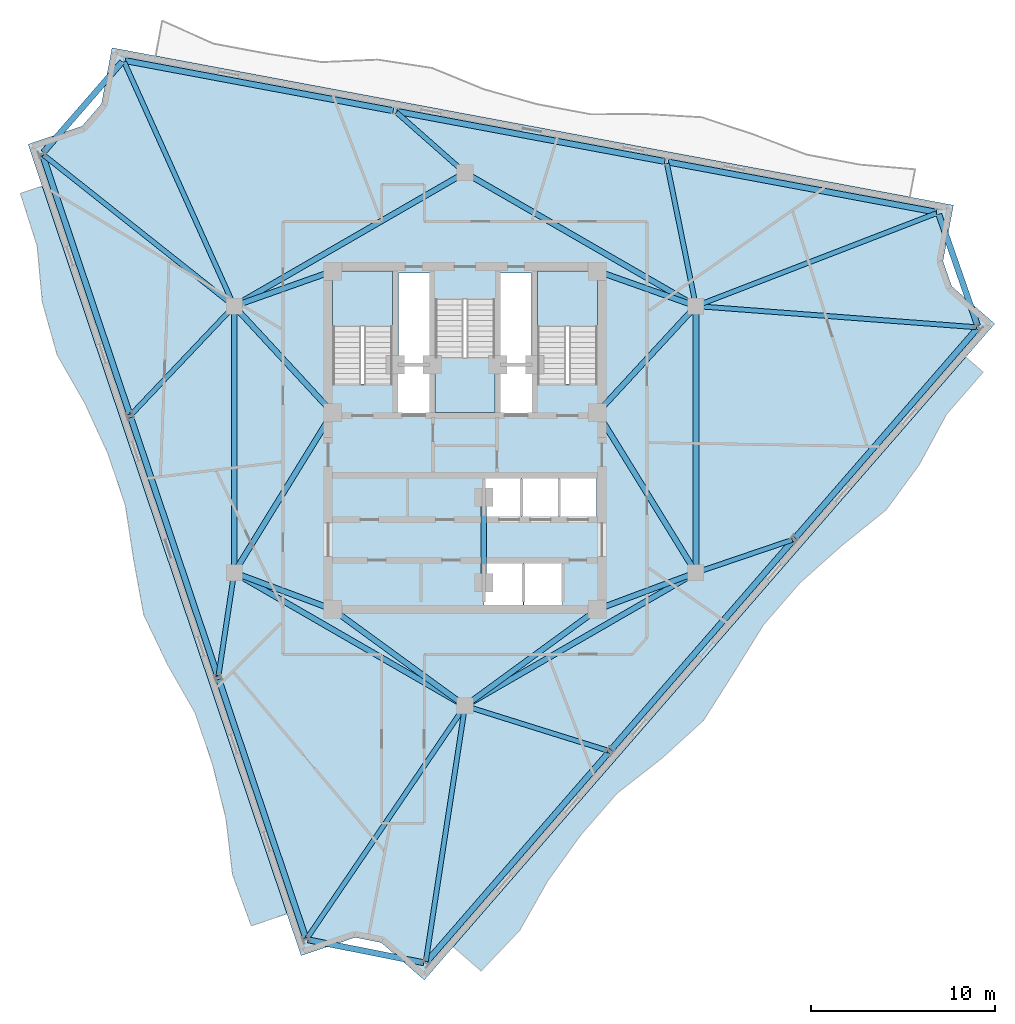
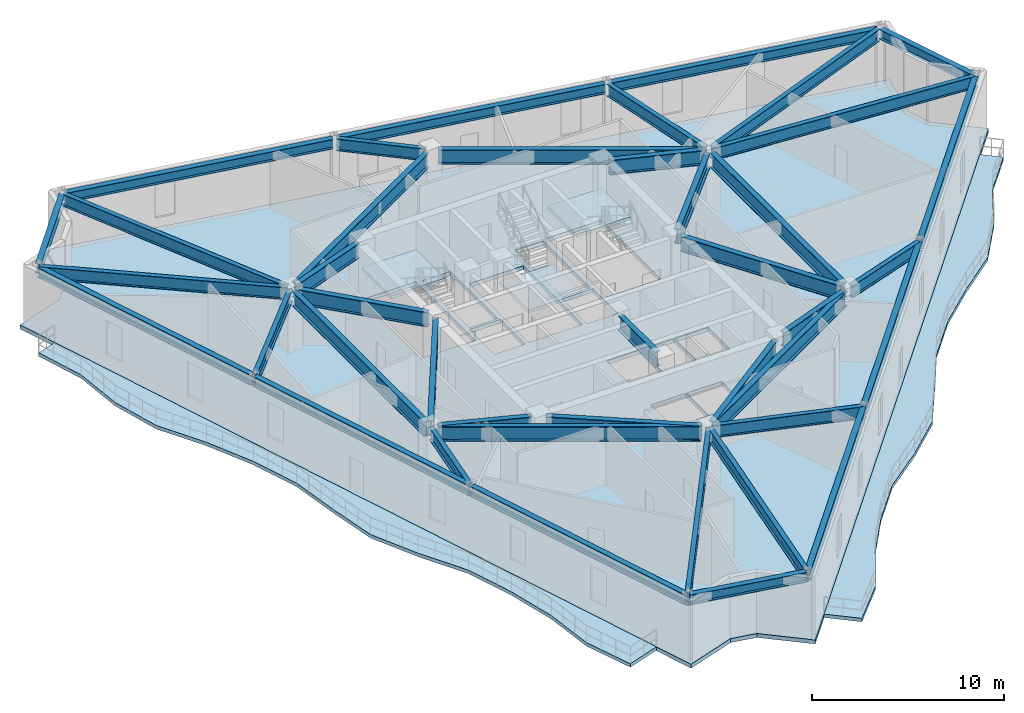
# One storey, part 3 of 10: 41 beams, 6 slabs, 3 elements without a shape of their own.
"""IFC4 building model written with IfcOpenShell, lengths in metres."""

from ifc_helpers import new_model, si_unit, direction, frame, origin, origin_2d, place, context, subcontext, project, spatial, polyline, i_section, outline, extrude, material, layer, layer_set, material_profile, profile_set, type_object, element, aggregate, save


model = new_model("IFC4")

# Units and contexts
model_context = context("Model", 3, precision=1e-05, world=origin(), true_north=direction((0.0, 1.0)))
body_context = subcontext(model_context, "Body", "Model", "MODEL_VIEW")
ifc_project = project(units=[si_unit("LENGTHUNIT", "METRE"), si_unit("AREAUNIT", "SQUARE_METRE"), si_unit("VOLUMEUNIT", "CUBIC_METRE"), si_unit("PLANEANGLEUNIT", "RADIAN"), si_unit("MASSUNIT", "GRAM", prefix="KILO")], contexts=[model_context])

# Site, building, storey
site_placement = place(None, origin())
site = spatial("IfcSite", under=ifc_project, at=site_placement, CompositionType="ELEMENT")
building_placement = place(site_placement, origin())
building = spatial("IfcBuilding", under=site, at=building_placement, Name="Apsidion Concourse Tower", CompositionType="ELEMENT")
storey_placement = place(building_placement, frame((0.0, 0.0, 265.5)))
storey = spatial("IfcBuildingStorey", under=building, at=storey_placement, Name="L62", CompositionType="ELEMENT", Elevation=265.5)

# Beams
ifc_material_1 = material(Name="Structural steel ASTM A992 Grade 50", Category="steel")
ifc_material_profile_1 = material_profile(ifc_material_1, i_section(OverallWidth=0.31005859375, OverallDepth=0.931884765625, WebThickness=0.02099609375, FlangeThickness=0.034423828125, at=origin_2d()), Name="W36X210")
ifc_profile_set_1 = profile_set([ifc_material_profile_1], Name="Structural steel ASTM A992 Grade 50")
beam_type_1 = type_object("IfcBeamType", Name="BM-G-W36", PredefinedType="USERDEFINED", material=ifc_profile_set_1)
beam_1_placement = place(storey_placement, frame((-12.185302734375, -7.389892578125, 3.384033203125), z_axis=(0.936913021145, -0.349562570664, 0.0), x_axis=(0.349562570664, 0.936913021145, 0.0)))
element("IfcBeam", 1, at=beam_1_placement, inside=storey, type_object=beam_type_1, Name="L62 Core Coupling Girder IC1-SC1", ObjectType="GIRDER", PredefinedType="USERDEFINED", context=body_context, shape_type="SweptSolid", body=[
    extrude(i_section(OverallWidth=0.31005859375, OverallDepth=0.931884765625, WebThickness=0.02099609375, FlangeThickness=0.034423828125, at=origin_2d()), origin(), (0.0, 0.0, 1.0), 4.921142578125),
])
beam_2_placement = place(storey_placement, frame((-12.35009765625, -6.909423828125, 3.384033203125), z_axis=(0.524524009763, 0.851395656074, 0.0), x_axis=(-0.851395656074, 0.524524009763, 0.0)))
element("IfcBeam", 2, at=beam_2_placement, inside=storey, type_object=beam_type_1, Name="L62 Core Coupling Girder IC1-SC6", ObjectType="GIRDER", PredefinedType="USERDEFINED", context=body_context, shape_type="SweptSolid", body=[
    extrude(i_section(OverallWidth=0.31005859375, OverallDepth=0.931884765625, WebThickness=0.02099609375, FlangeThickness=0.034423828125, at=origin_2d()), origin(), (0.0, 0.0, 1.0), 9.41845703125),
])
beam_3_placement = place(storey_placement, frame((12.185302734375, -7.389892578125, 3.384033203125), z_axis=(-0.936913021145, -0.349562570664, 0.0), x_axis=(0.349562570664, -0.936913021145, 0.0)))
element("IfcBeam", 3, at=beam_3_placement, inside=storey, type_object=beam_type_1, Name="L62 Core Coupling Girder IC2-SC2", ObjectType="GIRDER", PredefinedType="USERDEFINED", context=body_context, shape_type="SweptSolid", body=[
    extrude(i_section(OverallWidth=0.31005859375, OverallDepth=0.931884765625, WebThickness=0.02099609375, FlangeThickness=0.034423828125, at=origin_2d()), origin(), (0.0, 0.0, 1.0), 4.921142578125),
])
beam_4_placement = place(storey_placement, frame((12.35009765625, -6.909423828125, 3.384033203125), z_axis=(-0.524524009763, 0.851395656074, 0.0), x_axis=(-0.851395656074, -0.524524009763, 0.0)))
element("IfcBeam", 4, at=beam_4_placement, inside=storey, type_object=beam_type_1, Name="L62 Core Coupling Girder IC2-SC3", ObjectType="GIRDER", PredefinedType="USERDEFINED", context=body_context, shape_type="SweptSolid", body=[
    extrude(i_section(OverallWidth=0.31005859375, OverallDepth=0.931884765625, WebThickness=0.02099609375, FlangeThickness=0.034423828125, at=origin_2d()), origin(), (0.0, 0.0, 1.0), 9.41845703125),
])
beam_5_placement = place(storey_placement, frame((12.28857421875, 6.956298828125, 3.384033203125), z_axis=(-0.678712876106, -0.73440372535, 0.0), x_axis=(0.73440372535, -0.678712876106, 0.0)))
element("IfcBeam", 5, at=beam_5_placement, inside=storey, type_object=beam_type_1, Name="L62 Core Coupling Girder IC3-SC3", ObjectType="GIRDER", PredefinedType="USERDEFINED", context=body_context, shape_type="SweptSolid", body=[
    extrude(i_section(OverallWidth=0.31005859375, OverallDepth=0.931884765625, WebThickness=0.02099609375, FlangeThickness=0.034423828125, at=origin_2d()), origin(), (0.0, 0.0, 1.0), 7.097412109375),
])
beam_6_placement = place(storey_placement, frame((12.18310546875, 7.383544921875, 3.384033203125), z_axis=(-0.942533844539, 0.334110688094, 0.0), x_axis=(-0.334110688094, -0.942533844539, 0.0)))
element("IfcBeam", 6, at=beam_6_placement, inside=storey, type_object=beam_type_1, Name="L62 Core Coupling Girder IC3-SC4", ObjectType="GIRDER", PredefinedType="USERDEFINED", context=body_context, shape_type="SweptSolid", body=[
    extrude(i_section(OverallWidth=0.31005859375, OverallDepth=0.931884765625, WebThickness=0.02099609375, FlangeThickness=0.034423828125, at=origin_2d()), origin(), (0.0, 0.0, 1.0), 4.886962890625),
])
beam_7_placement = place(storey_placement, frame((-12.28857421875, 6.956298828125, 3.384033203125), z_axis=(0.678712876106, -0.73440372535, 0.0), x_axis=(0.73440372535, 0.678712876106, 0.0)))
element("IfcBeam", 7, at=beam_7_placement, inside=storey, type_object=beam_type_1, Name="L62 Core Coupling Girder IC5-SC6", ObjectType="GIRDER", PredefinedType="USERDEFINED", context=body_context, shape_type="SweptSolid", body=[
    extrude(i_section(OverallWidth=0.31005859375, OverallDepth=0.931884765625, WebThickness=0.02099609375, FlangeThickness=0.034423828125, at=origin_2d()), origin(), (0.0, 0.0, 1.0), 7.097412109375),
])
beam_8_placement = place(storey_placement, frame((-12.18310546875, 7.383544921875, 3.384033203125), z_axis=(0.942533844539, 0.334110688094, 0.0), x_axis=(-0.334110688094, 0.942533844539, 0.0)))
element("IfcBeam", 8, at=beam_8_placement, inside=storey, type_object=beam_type_1, Name="L62 Core Coupling Girder IC5-SC5", ObjectType="GIRDER", PredefinedType="USERDEFINED", context=body_context, shape_type="SweptSolid", body=[
    extrude(i_section(OverallWidth=0.31005859375, OverallDepth=0.931884765625, WebThickness=0.02099609375, FlangeThickness=0.034423828125, at=origin_2d()), origin(), (0.0, 0.0, 1.0), 4.886962890625),
])
for number, where, z_axis, x_axis, name in (
    (9, (-0.3232421875, -14.264404296875, 3.384033203125), (-0.807993498909, 0.589191399905, 0.0), (-0.589191399905, -0.807993498909, 0.0), "L62 Core Coupling Girder IC6-SC1"),
    (10, (0.3232421875, -14.264404296875, 3.384033203125), (0.807993498909, 0.589191399905, 0.0), (-0.589191399905, 0.807993498909, 0.0), "L62 Core Coupling Girder IC6-SC2"),
):
    element("IfcBeam", number, at=place(storey_placement, frame(where, z_axis=z_axis, x_axis=x_axis)), inside=storey, type_object=beam_type_1, Name=name, ObjectType="GIRDER", PredefinedType="USERDEFINED", context=body_context, shape_type="SweptSolid", body=[
        extrude(i_section(OverallWidth=0.31005859375, OverallDepth=0.931884765625, WebThickness=0.02099609375, FlangeThickness=0.034423828125, at=origin_2d()), origin(), (0.0, 0.0, 1.0), 8.11083984375),
    ])
beam_9_placement = place(storey_placement, frame((-12.56005859375, -6.85009765625, 3.384033203125), z_axis=(0.0, 1.0, 0.0), x_axis=(-1.0, 0.0, 0.0)))
element("IfcBeam", 11, at=beam_9_placement, inside=storey, type_object=beam_type_1, Name="L62 Core Coupling Girder IC1-IC5", ObjectType="GIRDER", PredefinedType="USERDEFINED", context=body_context, shape_type="SweptSolid", body=[
    extrude(i_section(OverallWidth=0.31005859375, OverallDepth=0.931884765625, WebThickness=0.02099609375, FlangeThickness=0.034423828125, at=origin_2d()), origin(), (0.0, 0.0, 1.0), 13.7001953125),
])
for number, where, z_axis, x_axis, name in (
    (12, (-12.213623046875, 7.449951171875, 3.384033203125), (0.866070471464, 0.499921932364, 0.0), (-0.499921932364, 0.866070471464, 0.0), "L62 Core Coupling Girder IC5-IC4"),
    (13, (0.346435546875, 14.300048828125, 3.384033203125), (0.866070471464, -0.499921932364, 0.0), (0.499921932364, 0.866070471464, 0.0), "L62 Core Coupling Girder IC4-IC3"),
):
    element("IfcBeam", number, at=place(storey_placement, frame(where, z_axis=z_axis, x_axis=x_axis)), inside=storey, type_object=beam_type_1, Name=name, ObjectType="GIRDER", PredefinedType="USERDEFINED", context=body_context, shape_type="SweptSolid", body=[
        extrude(i_section(OverallWidth=0.31005859375, OverallDepth=0.931884765625, WebThickness=0.02099609375, FlangeThickness=0.034423828125, at=origin_2d()), origin(), (0.0, 0.0, 1.0), 13.702392578125),
    ])
beam_10_placement = place(storey_placement, frame((12.56005859375, 6.85009765625, 3.384033203125), z_axis=(0.0, -1.0, 0.0), x_axis=(1.0, 0.0, 0.0)))
element("IfcBeam", 14, at=beam_10_placement, inside=storey, type_object=beam_type_1, Name="L62 Core Coupling Girder IC3-IC2", ObjectType="GIRDER", PredefinedType="USERDEFINED", context=body_context, shape_type="SweptSolid", body=[
    extrude(i_section(OverallWidth=0.31005859375, OverallDepth=0.931884765625, WebThickness=0.02099609375, FlangeThickness=0.034423828125, at=origin_2d()), origin(), (0.0, 0.0, 1.0), 13.7001953125),
])
for number, where, z_axis, x_axis, name in (
    (15, (12.213623046875, -7.449951171875, 3.384033203125), (-0.866070471464, -0.499921932364, 0.0), (0.499921932364, -0.866070471464, 0.0), "L62 Core Coupling Girder IC2-IC6"),
    (16, (-0.346435546875, -14.300048828125, 3.384033203125), (-0.866070471464, 0.499921932364, 0.0), (-0.499921932364, -0.866070471464, 0.0), "L62 Core Coupling Girder IC6-IC1"),
):
    element("IfcBeam", number, at=place(storey_placement, frame(where, z_axis=z_axis, x_axis=x_axis)), inside=storey, type_object=beam_type_1, Name=name, ObjectType="GIRDER", PredefinedType="USERDEFINED", context=body_context, shape_type="SweptSolid", body=[
        extrude(i_section(OverallWidth=0.31005859375, OverallDepth=0.931884765625, WebThickness=0.02099609375, FlangeThickness=0.034423828125, at=origin_2d()), origin(), (0.0, 0.0, 1.0), 13.702392578125),
    ])
beam_11_placement = place(storey_placement, frame((1.02490234375, -3.550048828125, 3.384033203125), z_axis=(0.0, -1.0, 0.0), x_axis=(1.0, 0.0, 0.0)))
element("IfcBeam", 17, at=beam_11_placement, inside=storey, type_object=beam_type_1, Name="L62 Core Coupling Girder CC5-CC6", ObjectType="GIRDER", PredefinedType="USERDEFINED", context=body_context, shape_type="SweptSolid", body=[
    extrude(i_section(OverallWidth=0.31005859375, OverallDepth=0.931884765625, WebThickness=0.02099609375, FlangeThickness=0.034423828125, at=origin_2d()), origin(), (0.0, 0.0, 1.0), 3.849853515625),
])
ifc_material_profile_2 = material_profile(ifc_material_1, i_section(OverallWidth=0.324951171875, OverallDepth=0.616943359375, WebThickness=0.013916015625, FlangeThickness=0.021484375, at=origin_2d()), Name="W24X117")
ifc_profile_set_2 = profile_set([ifc_material_profile_2], Name="Structural steel ASTM A992 Grade 50")
beam_type_2 = type_object("IfcBeamType", Name="BM-SP-W24", PredefinedType="SPANDREL", material=ifc_profile_set_2)
for number, where, z_axis, x_axis, name in (
    (18, (-22.97265625, 15.436279296875, 3.54150390625), (0.318681523158, -0.947861850059, 0.0), (0.947861850059, 0.318681523158, 0.0), "L62 Perimeter Spandrel Girder SP-01"),
    (19, (-18.18310546875, 1.191162109375, 3.54150390625), (0.318661757859, -0.94786849514, 0.0), (0.94786849514, 0.318661757859, 0.0), "L62 Perimeter Spandrel Girder SP-02"),
    (20, (-13.393798828125, -13.05419921875, 3.54150390625), (0.318681523158, -0.947861850059, 0.0), (0.947861850059, 0.318681523158, 0.0), "L62 Perimeter Spandrel Girder SP-03"),
):
    element("IfcBeam", number, at=place(storey_placement, frame(where, z_axis=z_axis, x_axis=x_axis)), inside=storey, type_object=beam_type_2, Name=name, PredefinedType="SPANDREL", context=body_context, shape_type="SweptSolid", body=[
        extrude(i_section(OverallWidth=0.324951171875, OverallDepth=0.616943359375, WebThickness=0.013916015625, FlangeThickness=0.021484375, at=origin_2d()), origin(), (0.0, 0.0, 1.0), 14.82861328125),
    ])
beam_12_placement = place(storey_placement, frame((-8.538330078125, -27.223876953125, 3.54150390625), z_axis=(0.980920203242, -0.194410788981, 0.0), x_axis=(0.194410788981, 0.980920203242, 0.0)))
element("IfcBeam", 21, at=beam_12_placement, inside=storey, type_object=beam_type_2, Name="L62 Perimeter Spandrel Girder SP-04", PredefinedType="SPANDREL", context=body_context, shape_type="SweptSolid", body=[
    extrude(i_section(OverallWidth=0.324951171875, OverallDepth=0.616943359375, WebThickness=0.013916015625, FlangeThickness=0.021484375, at=origin_2d()), origin(), (0.0, 0.0, 1.0), 6.415771484375),
])
beam_13_placement = place(storey_placement, frame((-2.081298828125, -28.4150390625, 3.54150390625), z_axis=(0.656066832384, 0.754702796766, 0.0), x_axis=(-0.754702796766, 0.656066832384, 0.0)))
element("IfcBeam", 22, at=beam_13_placement, inside=storey, type_object=beam_type_2, Name="L62 Perimeter Spandrel Girder SP-05", PredefinedType="SPANDREL", context=body_context, shape_type="SweptSolid", body=[
    extrude(i_section(OverallWidth=0.324951171875, OverallDepth=0.616943359375, WebThickness=0.013916015625, FlangeThickness=0.021484375, at=origin_2d()), origin(), (0.0, 0.0, 1.0), 15.07373046875),
])
for number, where, z_axis, x_axis, name in (
    (23, (7.939208984375, -16.8876953125, 3.54150390625), (0.656074851848, 0.754695825332, 0.0), (-0.754695825332, 0.656074851848, 0.0), "L62 Perimeter Spandrel Girder SP-06"),
    (24, (17.959716796875, -5.360595703125, 3.54150390625), (0.656065626683, 0.754703844885, 0.0), (-0.754703844885, 0.656065626683, 0.0), "L62 Perimeter Spandrel Girder SP-07"),
):
    element("IfcBeam", number, at=place(storey_placement, frame(where, z_axis=z_axis, x_axis=x_axis)), inside=storey, type_object=beam_type_2, Name=name, PredefinedType="SPANDREL", context=body_context, shape_type="SweptSolid", body=[
        extrude(i_section(OverallWidth=0.324951171875, OverallDepth=0.616943359375, WebThickness=0.013916015625, FlangeThickness=0.021484375, at=origin_2d()), origin(), (0.0, 0.0, 1.0), 15.073486328125),
    ])
beam_14_placement = place(storey_placement, frame((27.881591796875, 6.185302734375, 3.54150390625), z_axis=(-0.328995813691, 0.944331379641, 0.0), x_axis=(-0.944331379641, -0.328995813691, 0.0)))
element("IfcBeam", 25, at=beam_14_placement, inside=storey, type_object=beam_type_2, Name="L62 Perimeter Spandrel Girder SP-08", PredefinedType="SPANDREL", context=body_context, shape_type="SweptSolid", body=[
    extrude(i_section(OverallWidth=0.324951171875, OverallDepth=0.616943359375, WebThickness=0.013916015625, FlangeThickness=0.021484375, at=origin_2d()), origin(), (0.0, 0.0, 1.0), 6.416015625),
])
beam_15_placement = place(storey_placement, frame((25.639404296875, 12.35693359375, 3.54150390625), z_axis=(-0.982990339522, 0.183657268861, 0.0), x_axis=(-0.183657268861, -0.982990339522, 0.0)))
element("IfcBeam", 26, at=beam_15_placement, inside=storey, type_object=beam_type_2, Name="L62 Perimeter Spandrel Girder SP-09", PredefinedType="SPANDREL", context=body_context, shape_type="SweptSolid", body=[
    extrude(i_section(OverallWidth=0.324951171875, OverallDepth=0.616943359375, WebThickness=0.013916015625, FlangeThickness=0.021484375, at=origin_2d()), origin(), (0.0, 0.0, 1.0), 14.82861328125),
])
for number, where, z_axis, x_axis, name in (
    (27, (10.866455078125, 15.1171875, 3.54150390625), (-0.982990894844, 0.183654296586, 0.0), (-0.183654296586, -0.982990894844, 0.0), "L62 Perimeter Spandrel Girder SP-10"),
    (28, (-3.90673828125, 17.877197265625, 3.54150390625), (-0.982990894844, 0.183654296586, 0.0), (-0.183654296586, -0.982990894844, 0.0), "L62 Perimeter Spandrel Girder SP-11"),
):
    element("IfcBeam", number, at=place(storey_placement, frame(where, z_axis=z_axis, x_axis=x_axis)), inside=storey, type_object=beam_type_2, Name=name, PredefinedType="SPANDREL", context=body_context, shape_type="SweptSolid", body=[
        extrude(i_section(OverallWidth=0.324951171875, OverallDepth=0.616943359375, WebThickness=0.013916015625, FlangeThickness=0.021484375, at=origin_2d()), origin(), (0.0, 0.0, 1.0), 14.828857421875),
    ])
beam_16_placement = place(storey_placement, frame((-18.647216796875, 20.543701171875, 3.54150390625), z_axis=(-0.656065057343, -0.754704339814, 0.0), x_axis=(0.754704339814, -0.656065057343, 0.0)))
element("IfcBeam", 29, at=beam_16_placement, inside=storey, type_object=beam_type_2, Name="L62 Perimeter Spandrel Girder SP-12", PredefinedType="SPANDREL", context=body_context, shape_type="SweptSolid", body=[
    extrude(i_section(OverallWidth=0.324951171875, OverallDepth=0.616943359375, WebThickness=0.013916015625, FlangeThickness=0.021484375, at=origin_2d()), origin(), (0.0, 0.0, 1.0), 6.541748046875),
])
ifc_material_profile_3 = material_profile(ifc_material_1, i_section(OverallWidth=0.26806640625, OverallDepth=0.77001953125, WebThickness=0.015625, FlangeThickness=0.025390625, at=origin_2d()), Name="W30X132")
ifc_profile_set_3 = profile_set([ifc_material_profile_3], Name="Structural steel ASTM A992 Grade 50")
beam_type_3 = type_object("IfcBeamType", Name="BM-SP-W30", PredefinedType="SPANDREL", material=ifc_profile_set_3)
beam_17_placement = place(storey_placement, frame((-12.732421875, 7.38671875, 3.465087890625), z_axis=(-0.783584000329, 0.621285855648, 0.0), x_axis=(-0.621285855648, -0.783584000329, 0.0)))
element("IfcBeam", 30, at=beam_17_placement, inside=storey, type_object=beam_type_3, Name="L62 Radial Floor Girder RAD-01", PredefinedType="SPANDREL", context=body_context, shape_type="SweptSolid", body=[
    extrude(i_section(OverallWidth=0.26806640625, OverallDepth=0.77001953125, WebThickness=0.015625, FlangeThickness=0.025390625, at=origin_2d()), origin(), (0.0, 0.0, 1.0), 13.009033203125),
])
beam_18_placement = place(storey_placement, frame((-12.71142578125, 7.09033203125, 3.465087890625), z_axis=(-0.688064364837, -0.72564966054, 0.0), x_axis=(0.72564966054, -0.688064364837, 0.0)))
element("IfcBeam", 31, at=beam_18_placement, inside=storey, type_object=beam_type_3, Name="L62 Radial Floor Girder RAD-02", PredefinedType="SPANDREL", context=body_context, shape_type="SweptSolid", body=[
    extrude(i_section(OverallWidth=0.26806640625, OverallDepth=0.77001953125, WebThickness=0.015625, FlangeThickness=0.025390625, at=origin_2d()), origin(), (0.0, 0.0, 1.0), 7.898681640625),
])
beam_19_placement = place(storey_placement, frame((-12.593017578125, -7.467529296875, 3.465087890625), z_axis=(-0.149944598724, -0.988694400365, 0.0), x_axis=(0.988694400365, -0.149944598724, 0.0)))
element("IfcBeam", 32, at=beam_19_placement, inside=storey, type_object=beam_type_3, Name="L62 Radial Floor Girder RAD-03", PredefinedType="SPANDREL", context=body_context, shape_type="SweptSolid", body=[
    extrude(i_section(OverallWidth=0.26806640625, OverallDepth=0.77001953125, WebThickness=0.015625, FlangeThickness=0.025390625, at=origin_2d()), origin(), (0.0, 0.0, 1.0), 5.45458984375),
])
beam_20_placement = place(storey_placement, frame((-0.123779296875, -14.681884765625, 3.465087890625), z_axis=(-0.56217993865, -0.827014943383, 0.0), x_axis=(0.827014943383, -0.56217993865, 0.0)))
element("IfcBeam", 33, at=beam_20_placement, inside=storey, type_object=beam_type_3, Name="L62 Radial Floor Girder RAD-04", PredefinedType="SPANDREL", context=body_context, shape_type="SweptSolid", body=[
    extrude(i_section(OverallWidth=0.26806640625, OverallDepth=0.77001953125, WebThickness=0.015625, FlangeThickness=0.025390625, at=origin_2d()), origin(), (0.0, 0.0, 1.0), 15.0419921875),
])
beam_21_placement = place(storey_placement, frame((-0.033447265625, -14.717529296875, 3.465087890625), z_axis=(-0.151664637663, -0.988432009641, 0.0), x_axis=(0.988432009641, -0.151664637663, 0.0)))
element("IfcBeam", 34, at=beam_21_placement, inside=storey, type_object=beam_type_3, Name="L62 Radial Floor Girder RAD-05", PredefinedType="SPANDREL", context=body_context, shape_type="SweptSolid", body=[
    extrude(i_section(OverallWidth=0.26806640625, OverallDepth=0.77001953125, WebThickness=0.015625, FlangeThickness=0.025390625, at=origin_2d()), origin(), (0.0, 0.0, 1.0), 13.833984375),
])
beam_22_placement = place(storey_placement, frame((0.2099609375, -14.565673828125, 3.465087890625), z_axis=(0.954387901166, -0.298569479532, 0.0), x_axis=(0.298569479532, 0.954387901166, 0.0)))
element("IfcBeam", 35, at=beam_22_placement, inside=storey, type_object=beam_type_3, Name="L62 Radial Floor Girder RAD-06", PredefinedType="SPANDREL", context=body_context, shape_type="SweptSolid", body=[
    extrude(i_section(OverallWidth=0.26806640625, OverallDepth=0.77001953125, WebThickness=0.015625, FlangeThickness=0.025390625, at=origin_2d()), origin(), (0.0, 0.0, 1.0), 7.93017578125),
])
beam_23_placement = place(storey_placement, frame((12.768310546875, -7.17919921875, 3.465087890625), z_axis=(0.946764063089, 0.321928266612, 0.0), x_axis=(-0.321928266612, 0.946764063089, 0.0)))
element("IfcBeam", 36, at=beam_23_placement, inside=storey, type_object=beam_type_3, Name="L62 Radial Floor Girder RAD-07", PredefinedType="SPANDREL", context=body_context, shape_type="SweptSolid", body=[
    extrude(i_section(OverallWidth=0.26806640625, OverallDepth=0.77001953125, WebThickness=0.015625, FlangeThickness=0.025390625, at=origin_2d()), origin(), (0.0, 0.0, 1.0), 5.31396484375),
])
beam_24_placement = place(storey_placement, frame((12.779296875, 7.2333984375, 3.465087890625), z_axis=(0.997162813541, -0.075274984495, 0.0), x_axis=(0.075274984495, 0.997162813541, 0.0)))
element("IfcBeam", 37, at=beam_24_placement, inside=storey, type_object=beam_type_3, Name="L62 Radial Floor Girder RAD-08", PredefinedType="SPANDREL", context=body_context, shape_type="SweptSolid", body=[
    extrude(i_section(OverallWidth=0.26806640625, OverallDepth=0.77001953125, WebThickness=0.015625, FlangeThickness=0.025390625, at=origin_2d()), origin(), (0.0, 0.0, 1.0), 15.078125),
])
beam_25_placement = place(storey_placement, frame((12.76513671875, 7.3291015625, 3.465087890625), z_axis=(0.932864861943, 0.360226525053, 0.0), x_axis=(-0.360226525053, 0.932864861943, 0.0)))
element("IfcBeam", 38, at=beam_25_placement, inside=storey, type_object=beam_type_3, Name="L62 Radial Floor Girder RAD-09", PredefinedType="SPANDREL", context=body_context, shape_type="SweptSolid", body=[
    extrude(i_section(OverallWidth=0.26806640625, OverallDepth=0.77001953125, WebThickness=0.015625, FlangeThickness=0.025390625, at=origin_2d()), origin(), (0.0, 0.0, 1.0), 13.806396484375),
])
beam_26_placement = place(storey_placement, frame((12.51611328125, 7.465576171875, 3.465087890625), z_axis=(-0.199174271345, 0.97996408589, 0.0), x_axis=(-0.97996408589, -0.199174271345, 0.0)))
element("IfcBeam", 39, at=beam_26_placement, inside=storey, type_object=beam_type_3, Name="L62 Radial Floor Girder RAD-10", PredefinedType="SPANDREL", context=body_context, shape_type="SweptSolid", body=[
    extrude(i_section(OverallWidth=0.26806640625, OverallDepth=0.77001953125, WebThickness=0.015625, FlangeThickness=0.025390625, at=origin_2d()), origin(), (0.0, 0.0, 1.0), 7.689208984375),
])
beam_27_placement = place(storey_placement, frame((-0.1650390625, 14.6455078125, 3.465087890625), z_axis=(-0.749977100091, 0.661463792917, 0.0), x_axis=(-0.661463792917, -0.749977100091, 0.0)))
element("IfcBeam", 40, at=beam_27_placement, inside=storey, type_object=beam_type_3, Name="L62 Radial Floor Girder RAD-11", PredefinedType="SPANDREL", context=body_context, shape_type="SweptSolid", body=[
    extrude(i_section(OverallWidth=0.26806640625, OverallDepth=0.77001953125, WebThickness=0.015625, FlangeThickness=0.025390625, at=origin_2d()), origin(), (0.0, 0.0, 1.0), 4.758056640625),
])
beam_28_placement = place(storey_placement, frame((-12.650390625, 7.45068359375, 3.465087890625), z_axis=(-0.410678909967, 0.911780035375, 0.0), x_axis=(-0.911780035375, -0.410678909967, 0.0)))
element("IfcBeam", 41, at=beam_28_placement, inside=storey, type_object=beam_type_3, Name="L62 Radial Floor Girder RAD-12", PredefinedType="SPANDREL", context=body_context, shape_type="SweptSolid", body=[
    extrude(i_section(OverallWidth=0.26806640625, OverallDepth=0.77001953125, WebThickness=0.015625, FlangeThickness=0.025390625, at=origin_2d()), origin(), (0.0, 0.0, 1.0), 14.342529296875),
])

# Slabs
ifc_material_2 = material(Name="Concrete C50/60", Category="concrete")
ifc_layer_1 = layer(ifc_material_2, 0.219970703125)
ifc_layer_set_1 = layer_set([ifc_layer_1], Name="Concrete C50/60")
slab_type_1 = type_object("IfcSlabType", Name="SL-BAL-220", PredefinedType="FLOOR", material=ifc_layer_set_1)
slab_1_placement = place(storey_placement, frame((0.0, 0.0, -0.219970703125)))
element("IfcSlab", 42, at=slab_1_placement, inside=storey, type_object=slab_type_1, Name="L62 Face 1 Rippling Balcony Slab", PredefinedType="FLOOR", context=body_context, shape_type="SweptSolid", body=[
    extrude(outline(polyline([(-22.99951171875, 13.775390625), (-22.048095703125, 10.947998046875), (-21.096923828125, 8.12060546875), (-20.1455078125, 5.29345703125), (-19.1943359375, 2.466064453125), (-18.242919921875, -0.361083984375), (-17.291748046875, -3.1884765625), (-16.340576171875, -6.015869140625), (-15.38916015625, -8.843017578125), (-14.43798828125, -11.67041015625), (-13.486572265625, -14.49755859375), (-12.535400390625, -17.324951171875), (-11.583984375, -20.152099609375), (-10.6328125, -22.9794921875), (-9.681396484375, -25.806884765625), (-11.624755859375, -26.460693359375), (-12.6484375, -23.65771484375), (-13.00390625, -20.6298828125), (-13.719970703125, -17.723388671875), (-14.67138671875, -14.896240234375), (-16.176513671875, -12.25537109375), (-17.473388671875, -9.544189453125), (-18.0185546875, -6.580322265625), (-18.4765625, -3.587158203125), (-19.427734375, -0.759765625), (-20.6796875, 1.96630859375), (-22.1884765625, 4.606201171875), (-22.99560546875, 7.481689453125), (-23.277587890625, 10.5341796875), (-24.18408203125, 13.376708984375), (-22.99951171875, 13.775390625)])), origin(), (0.0, 0.0, 1.0), 0.219970703125),
])
slab_2_placement = place(storey_placement, frame((0.0, 0.0, -0.219970703125)))
element("IfcSlab", 43, at=slab_2_placement, inside=storey, type_object=slab_type_1, Name="L62 Face 2 Rippling Balcony Slab", PredefinedType="FLOOR", context=body_context, shape_type="SweptSolid", body=[
    extrude(outline(polyline([(-0.6416015625, -27.59716796875), (1.35009765625, -25.30615234375), (3.341552734375, -23.01513671875), (5.3330078125, -20.724365234375), (7.324462890625, -18.433349609375), (9.31591796875, -16.142333984375), (11.307373046875, -13.8515625), (13.298828125, -11.560546875), (15.290283203125, -9.26953125), (17.281982421875, -6.978759765625), (19.273193359375, -4.687744140625), (21.264892578125, -2.396728515625), (23.25634765625, -0.10595703125), (25.247802734375, 2.18505859375), (27.2392578125, 4.47607421875), (28.1826171875, 3.656005859375), (26.191162109375, 1.364990234375), (24.710205078125, -1.369873046875), (22.9111328125, -3.827880859375), (20.51123046875, -5.763916015625), (18.22509765625, -7.798828125), (16.23388671875, -10.089599609375), (14.611328125, -12.701416015625), (12.966064453125, -15.293212890625), (10.70458984375, -17.349609375), (8.267822265625, -19.25341796875), (6.2763671875, -21.54443359375), (4.49755859375, -24.020263671875), (2.970458984375, -26.714599609375), (0.875244140625, -28.91552734375), (-0.6416015625, -27.59716796875)])), origin(), (0.0, 0.0, 1.0), 0.219970703125),
])
ifc_layer_2 = layer(ifc_material_2, 0.25)
ifc_layer_set_2 = layer_set([ifc_layer_2], Name="Concrete C50/60")
slab_type_2 = type_object("IfcSlabType", Name="SL-FLR-250", PredefinedType="FLOOR", material=ifc_layer_set_2)
slab_3_placement = place(storey_placement, frame((0.0, 0.0, -0.25)))
element("IfcSlab", 44, at=slab_3_placement, inside=storey, type_object=slab_type_2, Name="L62 Structural Floor Slab", PredefinedType="FLOOR", context=body_context, shape_type="SweptSolid", body=[
    extrude(outline(polyline([(-19.201416015625, 21.2998046875), (-19.771484375, 18.251220703125), (-20.825439453125, 17.0390625), (-23.764892578125, 16.050048828125), (-8.916015625, -28.08154296875), (-5.976806640625, -27.092529296875), (-4.556640625, -27.373779296875), (-2.216064453125, -29.408447265625), (28.813720703125, 6.287353515625), (26.47314453125, 8.322021484375), (25.9970703125, 9.689208984375), (26.5673828125, 12.737548828125), (-19.201416015625, 21.2998046875)]), holes=[polyline([(-3.949951171875, 3.0), (-3.949951171875, 9.14990234375), (-7.199951171875, 9.14990234375), (-7.199951171875, 3.0), (-3.949951171875, 3.0)]), polyline([(7.199951171875, 3.0), (7.199951171875, 9.14990234375), (3.949951171875, 9.14990234375), (3.949951171875, 3.0), (7.199951171875, 3.0)]), polyline([(-1.625, 7.60009765625), (-1.625, 1.449951171875), (1.625, 1.449951171875), (1.625, 7.60009765625), (-1.625, 7.60009765625)]), polyline([(1.054931640625, -4.300048828125), (3.044921875, -4.300048828125), (3.044921875, -2.050048828125), (1.054931640625, -2.050048828125), (1.054931640625, -4.300048828125)]), polyline([(3.10498046875, -4.300048828125), (5.094970703125, -4.300048828125), (5.094970703125, -2.050048828125), (3.10498046875, -2.050048828125), (3.10498046875, -4.300048828125)]), polyline([(5.155029296875, -4.300048828125), (7.14501953125, -4.300048828125), (7.14501953125, -2.050048828125), (5.155029296875, -2.050048828125), (5.155029296875, -4.300048828125)]), polyline([(1.044921875, -9.0), (3.155029296875, -9.0), (3.155029296875, -6.64990234375), (1.044921875, -6.64990234375), (1.044921875, -9.0)]), polyline([(3.195068359375, -9.0), (5.304931640625, -9.0), (5.304931640625, -6.64990234375), (3.195068359375, -6.64990234375), (3.195068359375, -9.0)]), polyline([(-3.7099609375, 1.39990234375), (-1.85009765625, 1.39990234375), (-1.85009765625, 4.0), (-3.7099609375, 4.0), (-3.7099609375, 1.39990234375)]), polyline([(1.85009765625, 1.39990234375), (3.7099609375, 1.39990234375), (3.7099609375, 4.0), (1.85009765625, 4.0), (1.85009765625, 1.39990234375)]), polyline([(-3.6201171875, 4.14990234375), (-1.93994140625, 4.14990234375), (-1.93994140625, 9.050048828125), (-3.6201171875, 9.050048828125), (-3.6201171875, 4.14990234375)]), polyline([(1.93994140625, 4.14990234375), (3.6201171875, 4.14990234375), (3.6201171875, 9.050048828125), (1.93994140625, 9.050048828125), (1.93994140625, 4.14990234375)])]), origin(), (0.0, 0.0, 1.0), 0.25),
])

# Stair, slab
ifc_material_3 = material(Name="Precast concrete C40/50", Category="concrete")
stair_type = type_object("IfcStairType", Name="ST-DL-1550", PredefinedType="HALF_TURN_STAIR", material=ifc_material_3)
stair_1_placement = place(storey_placement, origin())
stair_1 = element("IfcStair", 45, at=stair_1_placement, inside=storey, type_object=stair_type, Name="L62 Protected Core Exit Stair ST1", PredefinedType="HALF_TURN_STAIR")
ifc_layer_3 = layer(ifc_material_2, 0.199951171875)
ifc_layer_set_3 = layer_set([ifc_layer_3], Name="Concrete C50/60")
slab_type_3 = type_object("IfcSlabType", Name="SL-ST-LAND-200", PredefinedType="LANDING", material=ifc_layer_set_3)
slab_4_placement = place(storey_placement, frame((0.0, 0.0, 1.85009765625)))
slab_4 = element("IfcSlab", 46, at=slab_4_placement, type_object=slab_type_3, Name="ST1 landing 1", PredefinedType="LANDING", context=body_context, shape_type="SweptSolid", body=[
    extrude(outline(polyline([(-3.949951171875, 6.135009765625), (-3.949951171875, 9.14990234375), (-7.199951171875, 9.14990234375), (-7.199951171875, 6.135009765625), (-3.949951171875, 6.135009765625)])), origin(), (0.0, 0.0, 1.0), 0.199951171875),
])
aggregate(stair_1, [slab_4])

stair_2_placement = place(storey_placement, origin())
stair_2 = element("IfcStair", 47, at=stair_2_placement, inside=storey, type_object=stair_type, Name="L62 Protected Core Exit Stair ST2", PredefinedType="HALF_TURN_STAIR")
slab_5_placement = place(storey_placement, frame((0.0, 0.0, 1.85009765625)))
slab_5 = element("IfcSlab", 48, at=slab_5_placement, type_object=slab_type_3, Name="ST2 landing 1", PredefinedType="LANDING", context=body_context, shape_type="SweptSolid", body=[
    extrude(outline(polyline([(7.199951171875, 6.135009765625), (7.199951171875, 9.14990234375), (3.949951171875, 9.14990234375), (3.949951171875, 6.135009765625), (7.199951171875, 6.135009765625)])), origin(), (0.0, 0.0, 1.0), 0.199951171875),
])
aggregate(stair_2, [slab_5])

stair_3_placement = place(storey_placement, origin())
stair_3 = element("IfcStair", 49, at=stair_3_placement, inside=storey, type_object=stair_type, Name="L62 Protected Core Exit Stair ST3", PredefinedType="HALF_TURN_STAIR")
slab_6_placement = place(storey_placement, frame((0.0, 0.0, 1.85009765625)))
slab_6 = element("IfcSlab", 50, at=slab_6_placement, type_object=slab_type_3, Name="ST3 landing 1", PredefinedType="LANDING", context=body_context, shape_type="SweptSolid", body=[
    extrude(outline(polyline([(-1.625, 4.465087890625), (-1.625, 1.449951171875), (1.625, 1.449951171875), (1.625, 4.465087890625), (-1.625, 4.465087890625)])), origin(), (0.0, 0.0, 1.0), 0.199951171875),
])
aggregate(stair_3, [slab_6])

save(model, "model.ifc")
